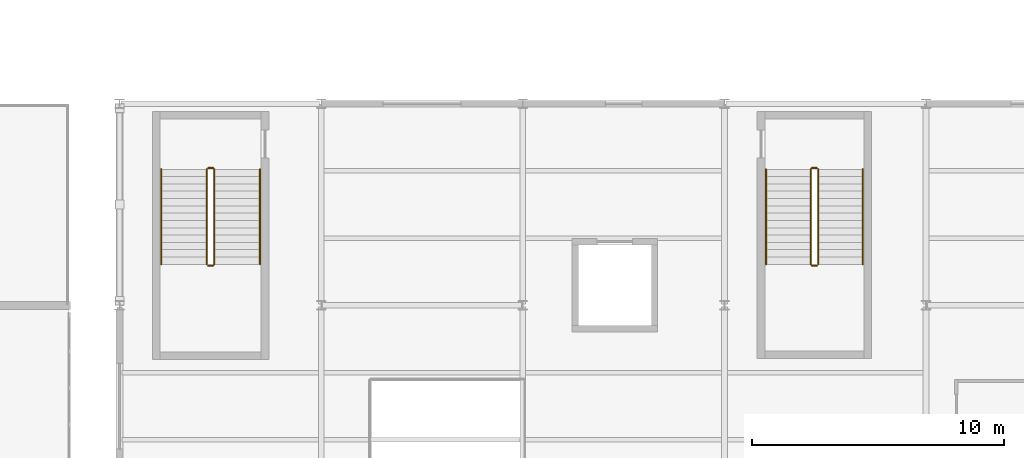
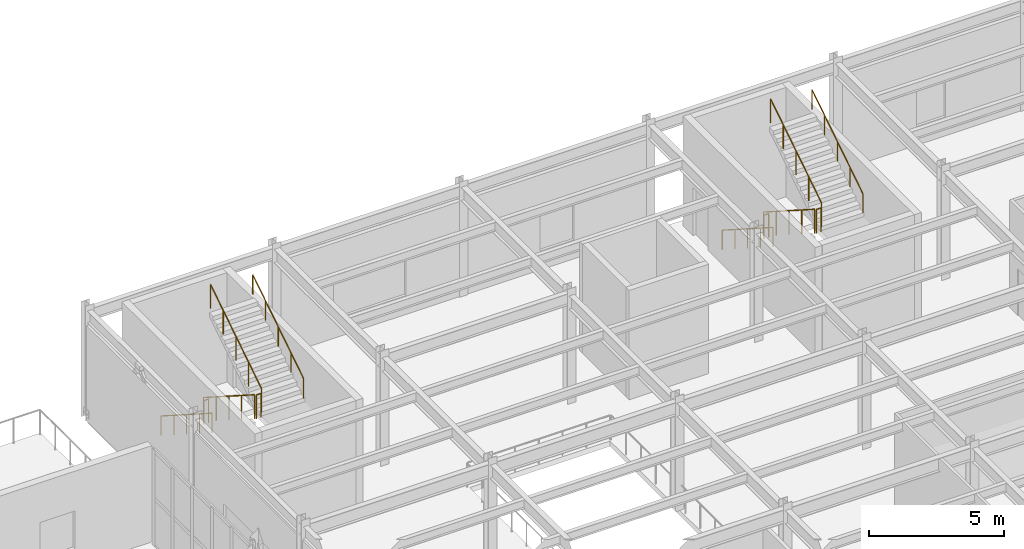
# One storey, part 76 of 77: 12 railings.
"""IFC4 building model written with IfcOpenShell, lengths in metres."""

import ifcopenshell
import ifcopenshell.guid

model = None  # the IFC model being written
_history = None  # IfcOwnerHistory: only IFC2X3 demands one
_inside = {}  # id of a spatial element -> (the spatial element, [elements in it])
_under = {}  # id of a project, library or spatial element -> (it, [spatial elements below it])
_declared = {}  # id of a project -> (the project, [libraries it declares])
_typed = {}  # id of a type object -> (the type object, [elements of that type])
_made_of = {}  # id of a material, layer set ... -> (it, [elements and type objects made of it])


def new_model(schema):
    """Start an empty IFC model of exactly this schema.

    Asked for "IFC4X3", IfcOpenShell would pick the latest addendum, in which some entities
    have other attributes; the version numbers below select the first issue.
    IFC2X3 requires an IfcOwnerHistory on every rooted entity: one is made here for all.
    """
    global model, _history
    if schema == "IFC4X3":
        model = ifcopenshell.file(schema_version=(4, 3, 0, 0))
    else:
        model = ifcopenshell.file(schema=schema)
    _inside.clear()
    _under.clear()
    _declared.clear()
    _typed.clear()
    _made_of.clear()
    _history = None
    if model.schema == "IFC2X3":
        org = make("IfcOrganization", Name="unknown")
        user = make(
            "IfcPersonAndOrganization",
            ThePerson=make("IfcPerson", FamilyName="unknown"),
            TheOrganization=org,
        )
        app = make(
            "IfcApplication",
            ApplicationDeveloper=org,
            Version="unknown",
            ApplicationFullName="unknown",
            ApplicationIdentifier="unknown",
        )
        _history = make(
            "IfcOwnerHistory",
            OwningUser=user,
            OwningApplication=app,
            ChangeAction="ADDED",
            CreationDate=0,
        )
    return model


def make(cls, **values):
    """One entity of the class cls with the attributes given. An attribute that is None is left unset."""
    return model.create_entity(
        cls, **{name: value for name, value in values.items() if value is not None}
    )


def rooted(cls, **values):
    """An entity with a GlobalId (a new one), such as an element, a storey or a relation."""
    return make(cls, GlobalId=ifcopenshell.guid.new(), OwnerHistory=_history, **values)


def si_unit(unit_type, name, prefix=None):
    """IfcSIUnit, for example si_unit("LENGTHUNIT", "METRE", prefix="MILLI")."""
    return make("IfcSIUnit", UnitType=unit_type, Prefix=prefix, Name=name)


def assignment(units):
    """IfcUnitAssignment: the units of a project."""
    return None if units is None else make("IfcUnitAssignment", Units=units)


def point(xyz):
    """IfcCartesianPoint."""
    return None if xyz is None else make("IfcCartesianPoint", Coordinates=xyz)


def direction(xyz):
    """IfcDirection."""
    return None if xyz is None else make("IfcDirection", DirectionRatios=xyz)


def frame(location, z_axis=None, x_axis=None):
    """IfcAxis2Placement3D, a coordinate frame: its origin and axes. An axis left out is left unset."""
    return make(
        "IfcAxis2Placement3D",
        Location=point(location),
        Axis=direction(z_axis),
        RefDirection=direction(x_axis),
    )


def frame_2d(location, x_axis=None):
    """IfcAxis2Placement2D, a coordinate frame in the plane: its origin and x axis."""
    return make(
        "IfcAxis2Placement2D", Location=point(location), RefDirection=direction(x_axis)
    )


def origin():
    """The frame at (0, 0, 0) with its axes left unset."""
    return frame((0.0, 0.0, 0.0))


def origin_2d():
    """The frame at (0, 0) in the plane with its x axis left unset."""
    return frame_2d((0.0, 0.0))


def place(relative_to, where):
    """IfcLocalPlacement: puts the frame where relative to a parent placement (None: the world)."""
    return make(
        "IfcLocalPlacement", PlacementRelTo=relative_to, RelativePlacement=where
    )


def context(
    kind, dimensions, precision=None, world=None, true_north=None, identifier=None
):
    """IfcGeometricRepresentationContext, for example the 3D "Model" context."""
    return make(
        "IfcGeometricRepresentationContext",
        ContextIdentifier=identifier,
        ContextType=kind,
        CoordinateSpaceDimension=dimensions,
        Precision=precision,
        WorldCoordinateSystem=world,
        TrueNorth=true_north,
    )


def subcontext(parent, identifier, kind, view, scale=None):
    """IfcGeometricRepresentationSubContext, for example "Body" below "Model"."""
    return make(
        "IfcGeometricRepresentationSubContext",
        ContextIdentifier=identifier,
        ContextType=kind,
        ParentContext=parent,
        TargetScale=scale,
        TargetView=view,
    )


def project(units=None, contexts=None):
    """IfcProject with its units and contexts."""
    return rooted(
        "IfcProject",
        Name="project",
        RepresentationContexts=contexts,
        UnitsInContext=assignment(units),
    )


def spatial(cls, under=None, at=None, **own):
    """A site, building, storey or space (cls), placed at a placement, below another one or the project."""
    s = rooted(cls, ObjectPlacement=at, **own)
    if under is not None:
        _under.setdefault(under.id(), (under, []))[1].append(s)
    return s


def profile(cls, at=None, kind="AREA", **sizes):
    """A parametric profile (cls). Its sizes go by their IFC names, for example OverallWidth=200.0."""
    return make(cls, ProfileType=kind, Position=at, **sizes)


def circle(**sizes):
    """IfcCircleProfileDef."""
    return profile("IfcCircleProfileDef", **sizes)


def extrude(swept, where, along, depth):
    """IfcExtrudedAreaSolid: the profile swept, set in the frame where, extruded along a direction by depth."""
    return make(
        "IfcExtrudedAreaSolid",
        SweptArea=swept,
        Position=where,
        ExtrudedDirection=direction(along),
        Depth=depth,
    )


def shape(context_of_items, identifier, shape_type, items):
    """IfcShapeRepresentation: the items that make up one representation, for example the "Body"."""
    return make(
        "IfcShapeRepresentation",
        ContextOfItems=context_of_items,
        RepresentationIdentifier=identifier,
        RepresentationType=shape_type,
        Items=items,
    )


def material(Name=None, Category=None):
    """IfcMaterial."""
    return make("IfcMaterial", Name=Name, Category=Category)


def made_of(thing, what):
    """Note that an element or type object is made of a material, layer set ...; save() writes the relation."""
    if what is not None:
        _made_of.setdefault(what.id(), (what, []))[1].append(thing)
    return thing


def type_object(cls, material=None, **own):
    """A type object (cls), such as IfcWallType, which elements share."""
    return made_of(rooted(cls, **own), material)


def element(
    cls,
    number,
    at=None,
    inside=None,
    cuts=None,
    type_object=None,
    material=None,
    context=None,
    identifier="Body",
    shape_type=None,
    held_by="IfcProductDefinitionShape",
    body=None,
    shapes=None,
    **own,
):
    """One element of the class cls, such as IfcWall. Its Tag is "e" and its number.

    at: its placement. inside: the storey or other place that contains it. cuts: it is an
    opening in that element (IfcRelVoidsElement). A single representation is given by context,
    identifier, shape_type and body (its items); several are given by shapes. held_by: the class
    of the entity that holds the representations. save() writes the other relations.
    """
    e = rooted(cls, Tag="e%d" % number, ObjectPlacement=at, **own)
    if body is not None:
        shapes = [shape(context, identifier, shape_type, body)]
    if shapes is not None:
        e.Representation = make(held_by, Representations=shapes)
    if inside is not None:
        _inside.setdefault(inside.id(), (inside, []))[1].append(e)
    if cuts is not None:
        rooted(
            "IfcRelVoidsElement", RelatingBuildingElement=cuts, RelatedOpeningElement=e
        )
    if type_object is not None:
        _typed.setdefault(type_object.id(), (type_object, []))[1].append(e)
    return made_of(e, material)


def aggregate(whole, parts):
    """IfcRelAggregates: a whole, such as a stair, and the parts it consists of."""
    return rooted("IfcRelAggregates", RelatingObject=whole, RelatedObjects=parts)


def save(model, path):
    """Write the relations noted so far, then the file.

    IfcRelAggregates (storeys below a building ...), IfcRelContainedInSpatialStructure (elements
    in a storey), IfcRelDefinesByType, IfcRelAssociatesMaterial and IfcRelDeclares: one each for
    every whole, place, type object, material and project.
    """
    for whole, parts in _under.values():
        aggregate(whole, parts)
    for where, things in _inside.values():
        rooted(
            "IfcRelContainedInSpatialStructure",
            RelatedElements=things,
            RelatingStructure=where,
        )
    for kind, things in _typed.values():
        rooted("IfcRelDefinesByType", RelatedObjects=things, RelatingType=kind)
    for what, things in _made_of.values():
        rooted("IfcRelAssociatesMaterial", RelatedObjects=things, RelatingMaterial=what)
    for by, libraries in _declared.values():
        rooted("IfcRelDeclares", RelatingContext=by, RelatedDefinitions=libraries)
    model.write(path)


model = new_model("IFC4")

# Units and contexts
model_context = context("Model", 3, precision=1e-05, world=origin(), true_north=direction((0.0, 1.0)))
body_context = subcontext(model_context, "Body", "Model", "MODEL_VIEW")
ifc_project = project(units=[si_unit("LENGTHUNIT", "METRE"), si_unit("AREAUNIT", "SQUARE_METRE"), si_unit("VOLUMEUNIT", "CUBIC_METRE"), si_unit("PLANEANGLEUNIT", "RADIAN"), si_unit("MASSUNIT", "GRAM", prefix="KILO")], contexts=[model_context])

# Site, building, storey
site_placement = place(None, origin())
site = spatial("IfcSite", under=ifc_project, at=site_placement, CompositionType="ELEMENT")
building_placement = place(site_placement, origin())
building = spatial("IfcBuilding", under=site, at=building_placement, Name="Drelvath Fold Interchange", CompositionType="ELEMENT")
storey_placement = place(building_placement, frame((0.0, 0.0, 6.0)))
storey = spatial("IfcBuildingStorey", under=building, at=storey_placement, Name="L01", CompositionType="ELEMENT", Elevation=6.0)

# Railings
ifc_material = material(Name="Stainless Steel 316L", Category="steel")
railing_type_1 = type_object("IfcRailingType", Name="RL-GRD1100", PredefinedType="GUARDRAIL", material=ifc_material)
railing_1_placement = place(storey_placement, frame((105.4599609375, 104.39990234375, 0.185791015625)))
element("IfcRailing", 1, at=railing_1_placement, inside=storey, type_object=railing_type_1, Name="L01 ST-07 stair guard 1", PredefinedType="GUARDRAIL", context=body_context, shape_type="SweptSolid", body=[
    extrude(circle(Radius=0.02392578125, at=origin_2d()), frame((0.0, 0.0, 1.076171875), z_axis=(0.0, -0.84211983486, 0.539290444692), x_axis=(1.0, 0.0, 0.0)), (0.0, 0.0, 1.0), 4.476806640625),
    extrude(circle(Radius=0.02099609375, at=origin_2d()), origin(), (0.0, 0.0, 1.0), 1.052001953125),
    extrude(circle(Radius=0.02099609375, at=origin_2d()), frame((0.0, -0.9423828125, 0.603515625)), (0.0, 0.0, 1.0), 1.052001953125),
    extrude(circle(Radius=0.02099609375, at=origin_2d()), frame((0.0, -1.885009765625, 1.20703125)), (0.0, 0.0, 1.0), 1.052001953125),
    extrude(circle(Radius=0.02099609375, at=origin_2d()), frame((0.0, -2.82763671875, 1.810791015625)), (0.0, 0.0, 1.0), 1.052001953125),
    extrude(circle(Radius=0.02099609375, at=origin_2d()), frame((0.0, -3.77001953125, 2.414306640625)), (0.0, 0.0, 1.0), 1.052001953125),
])
railing_2_placement = place(storey_placement, frame((105.510009765625, 100.580078125, 2.60009765625)))
element("IfcRailing", 2, at=railing_2_placement, inside=storey, type_object=railing_type_1, Name="L01 ST-07 stair guard 2", PredefinedType="GUARDRAIL", context=body_context, shape_type="SweptSolid", body=[
    extrude(circle(Radius=0.02392578125, at=origin_2d()), frame((0.0, 0.0, 1.076171875), z_axis=(1.0, 0.0, 0.0), x_axis=(0.0, 1.0, 0.0)), (0.0, 0.0, 1.0), 0.199951171875),
    extrude(circle(Radius=0.02099609375, at=origin_2d()), origin(), (0.0, 0.0, 1.0), 1.052001953125),
    extrude(circle(Radius=0.02099609375, at=origin_2d()), frame((0.199951171875, 0.0, 0.0)), (0.0, 0.0, 1.0), 1.052001953125),
])
railing_3_placement = place(storey_placement, frame((105.760009765625, 100.6298828125, 2.78564453125)))
element("IfcRailing", 3, at=railing_3_placement, inside=storey, type_object=railing_type_1, Name="L01 ST-07 stair guard 3", PredefinedType="GUARDRAIL", context=body_context, shape_type="SweptSolid", body=[
    extrude(circle(Radius=0.02392578125, at=origin_2d()), frame((0.0, 0.0, 1.076171875), z_axis=(0.0, 0.84211983486, 0.539290444692), x_axis=(-1.0, 0.0, 0.0)), (0.0, 0.0, 1.0), 4.476806640625),
    extrude(circle(Radius=0.02099609375, at=origin_2d()), origin(), (0.0, 0.0, 1.0), 1.052001953125),
    extrude(circle(Radius=0.02099609375, at=origin_2d()), frame((0.0, 0.9423828125, 0.603515625)), (0.0, 0.0, 1.0), 1.052001953125),
    extrude(circle(Radius=0.02099609375, at=origin_2d()), frame((0.0, 1.885009765625, 1.20703125)), (0.0, 0.0, 1.0), 1.052001953125),
    extrude(circle(Radius=0.02099609375, at=origin_2d()), frame((0.0, 2.82763671875, 1.810791015625)), (0.0, 0.0, 1.0), 1.052001953125),
    extrude(circle(Radius=0.02099609375, at=origin_2d()), frame((0.0, 3.77001953125, 2.414306640625)), (0.0, 0.0, 1.0), 1.052001953125),
])
railing_4_placement = place(storey_placement, frame((105.510009765625, 104.449951171875, 0.0)))
element("IfcRailing", 4, at=railing_4_placement, inside=storey, type_object=railing_type_1, Name="L01 ST-07 stair guard 4", PredefinedType="GUARDRAIL", context=body_context, shape_type="SweptSolid", body=[
    extrude(circle(Radius=0.02392578125, at=origin_2d()), frame((0.0, 0.0, 1.076171875), z_axis=(1.0, 0.0, 0.0), x_axis=(0.0, 1.0, 0.0)), (0.0, 0.0, 1.0), 0.199951171875),
    extrude(circle(Radius=0.02099609375, at=origin_2d()), origin(), (0.0, 0.0, 1.0), 1.052001953125),
    extrude(circle(Radius=0.02099609375, at=origin_2d()), frame((0.199951171875, 0.0, 0.0)), (0.0, 0.0, 1.0), 1.052001953125),
])
railing_5_placement = place(storey_placement, frame((129.419921875, 104.39990234375, 0.185791015625)))
element("IfcRailing", 5, at=railing_5_placement, inside=storey, type_object=railing_type_1, Name="L01 ST-08 stair guard 1", PredefinedType="GUARDRAIL", context=body_context, shape_type="SweptSolid", body=[
    extrude(circle(Radius=0.02392578125, at=origin_2d()), frame((0.0, 0.0, 1.076171875), z_axis=(0.0, -0.84211983486, 0.539290444692), x_axis=(1.0, 0.0, 0.0)), (0.0, 0.0, 1.0), 4.476806640625),
    extrude(circle(Radius=0.02099609375, at=origin_2d()), origin(), (0.0, 0.0, 1.0), 1.052001953125),
    extrude(circle(Radius=0.02099609375, at=origin_2d()), frame((0.0, -0.9423828125, 0.603515625)), (0.0, 0.0, 1.0), 1.052001953125),
    extrude(circle(Radius=0.02099609375, at=origin_2d()), frame((0.0, -1.885009765625, 1.20703125)), (0.0, 0.0, 1.0), 1.052001953125),
    extrude(circle(Radius=0.02099609375, at=origin_2d()), frame((0.0, -2.82763671875, 1.810791015625)), (0.0, 0.0, 1.0), 1.052001953125),
    extrude(circle(Radius=0.02099609375, at=origin_2d()), frame((0.0, -3.77001953125, 2.414306640625)), (0.0, 0.0, 1.0), 1.052001953125),
])
railing_6_placement = place(storey_placement, frame((129.469970703125, 100.580078125, 2.60009765625)))
element("IfcRailing", 6, at=railing_6_placement, inside=storey, type_object=railing_type_1, Name="L01 ST-08 stair guard 2", PredefinedType="GUARDRAIL", context=body_context, shape_type="SweptSolid", body=[
    extrude(circle(Radius=0.02392578125, at=origin_2d()), frame((0.0, 0.0, 1.076171875), z_axis=(1.0, 0.0, 0.0), x_axis=(0.0, 1.0, 0.0)), (0.0, 0.0, 1.0), 0.199951171875),
    extrude(circle(Radius=0.02099609375, at=origin_2d()), origin(), (0.0, 0.0, 1.0), 1.052001953125),
    extrude(circle(Radius=0.02099609375, at=origin_2d()), frame((0.199951171875, 0.0, 0.0)), (0.0, 0.0, 1.0), 1.052001953125),
])
railing_7_placement = place(storey_placement, frame((129.719970703125, 100.6298828125, 2.78564453125)))
element("IfcRailing", 7, at=railing_7_placement, inside=storey, type_object=railing_type_1, Name="L01 ST-08 stair guard 3", PredefinedType="GUARDRAIL", context=body_context, shape_type="SweptSolid", body=[
    extrude(circle(Radius=0.02392578125, at=origin_2d()), frame((0.0, 0.0, 1.076171875), z_axis=(0.0, 0.84211983486, 0.539290444692), x_axis=(-1.0, 0.0, 0.0)), (0.0, 0.0, 1.0), 4.476806640625),
    extrude(circle(Radius=0.02099609375, at=origin_2d()), origin(), (0.0, 0.0, 1.0), 1.052001953125),
    extrude(circle(Radius=0.02099609375, at=origin_2d()), frame((0.0, 0.9423828125, 0.603515625)), (0.0, 0.0, 1.0), 1.052001953125),
    extrude(circle(Radius=0.02099609375, at=origin_2d()), frame((0.0, 1.885009765625, 1.20703125)), (0.0, 0.0, 1.0), 1.052001953125),
    extrude(circle(Radius=0.02099609375, at=origin_2d()), frame((0.0, 2.82763671875, 1.810791015625)), (0.0, 0.0, 1.0), 1.052001953125),
    extrude(circle(Radius=0.02099609375, at=origin_2d()), frame((0.0, 3.77001953125, 2.414306640625)), (0.0, 0.0, 1.0), 1.052001953125),
])
railing_8_placement = place(storey_placement, frame((129.469970703125, 104.449951171875, 0.0)))
element("IfcRailing", 8, at=railing_8_placement, inside=storey, type_object=railing_type_1, Name="L01 ST-08 stair guard 4", PredefinedType="GUARDRAIL", context=body_context, shape_type="SweptSolid", body=[
    extrude(circle(Radius=0.02392578125, at=origin_2d()), frame((0.0, 0.0, 1.076171875), z_axis=(1.0, 0.0, 0.0), x_axis=(0.0, 1.0, 0.0)), (0.0, 0.0, 1.0), 0.199951171875),
    extrude(circle(Radius=0.02099609375, at=origin_2d()), origin(), (0.0, 0.0, 1.0), 1.052001953125),
    extrude(circle(Radius=0.02099609375, at=origin_2d()), frame((0.199951171875, 0.0, 0.0)), (0.0, 0.0, 1.0), 1.052001953125),
])
railing_type_2 = type_object("IfcRailingType", Name="RL-HND920", PredefinedType="HANDRAIL", material=ifc_material)
railing_9_placement = place(storey_placement, frame((103.64990234375, 104.39990234375, 0.185791015625)))
element("IfcRailing", 9, at=railing_9_placement, inside=storey, type_object=railing_type_2, Name="L01 ST-07 stair handrail 1", PredefinedType="HANDRAIL", context=body_context, shape_type="SweptSolid", body=[
    extrude(circle(Radius=0.02392578125, at=origin_2d()), frame((0.0, 0.0, 0.8759765625), z_axis=(0.0, -0.84211983486, 0.539290444692), x_axis=(1.0, 0.0, 0.0)), (0.0, 0.0, 1.0), 4.476806640625),
    extrude(circle(Radius=0.02099609375, at=origin_2d()), origin(), (0.0, 0.0, 1.0), 0.851806640625),
    extrude(circle(Radius=0.02099609375, at=origin_2d()), frame((0.0, -0.9423828125, 0.603515625)), (0.0, 0.0, 1.0), 0.851806640625),
    extrude(circle(Radius=0.02099609375, at=origin_2d()), frame((0.0, -1.885009765625, 1.20703125)), (0.0, 0.0, 1.0), 0.851806640625),
    extrude(circle(Radius=0.02099609375, at=origin_2d()), frame((0.0, -2.82763671875, 1.810791015625)), (0.0, 0.0, 1.0), 0.851806640625),
    extrude(circle(Radius=0.02099609375, at=origin_2d()), frame((0.0, -3.77001953125, 2.414306640625)), (0.0, 0.0, 1.0), 0.851806640625),
])
railing_10_placement = place(storey_placement, frame((107.570068359375, 100.6298828125, 2.78564453125)))
element("IfcRailing", 10, at=railing_10_placement, inside=storey, type_object=railing_type_2, Name="L01 ST-07 stair handrail 2", PredefinedType="HANDRAIL", context=body_context, shape_type="SweptSolid", body=[
    extrude(circle(Radius=0.02392578125, at=origin_2d()), frame((0.0, 0.0, 0.8759765625), z_axis=(0.0, 0.84211983486, 0.539290444692), x_axis=(-1.0, 0.0, 0.0)), (0.0, 0.0, 1.0), 4.476806640625),
    extrude(circle(Radius=0.02099609375, at=origin_2d()), origin(), (0.0, 0.0, 1.0), 0.851806640625),
    extrude(circle(Radius=0.02099609375, at=origin_2d()), frame((0.0, 0.9423828125, 0.603515625)), (0.0, 0.0, 1.0), 0.851806640625),
    extrude(circle(Radius=0.02099609375, at=origin_2d()), frame((0.0, 1.885009765625, 1.20703125)), (0.0, 0.0, 1.0), 0.851806640625),
    extrude(circle(Radius=0.02099609375, at=origin_2d()), frame((0.0, 2.82763671875, 1.810791015625)), (0.0, 0.0, 1.0), 0.851806640625),
    extrude(circle(Radius=0.02099609375, at=origin_2d()), frame((0.0, 3.77001953125, 2.414306640625)), (0.0, 0.0, 1.0), 0.851806640625),
])
railing_11_placement = place(storey_placement, frame((127.64990234375, 104.39990234375, 0.185791015625)))
element("IfcRailing", 11, at=railing_11_placement, inside=storey, type_object=railing_type_2, Name="L01 ST-08 stair handrail 1", PredefinedType="HANDRAIL", context=body_context, shape_type="SweptSolid", body=[
    extrude(circle(Radius=0.02392578125, at=origin_2d()), frame((0.0, 0.0, 0.8759765625), z_axis=(0.0, -0.84211983486, 0.539290444692), x_axis=(1.0, 0.0, 0.0)), (0.0, 0.0, 1.0), 4.476806640625),
    extrude(circle(Radius=0.02099609375, at=origin_2d()), origin(), (0.0, 0.0, 1.0), 0.851806640625),
    extrude(circle(Radius=0.02099609375, at=origin_2d()), frame((0.0, -0.9423828125, 0.603515625)), (0.0, 0.0, 1.0), 0.851806640625),
    extrude(circle(Radius=0.02099609375, at=origin_2d()), frame((0.0, -1.885009765625, 1.20703125)), (0.0, 0.0, 1.0), 0.851806640625),
    extrude(circle(Radius=0.02099609375, at=origin_2d()), frame((0.0, -2.82763671875, 1.810791015625)), (0.0, 0.0, 1.0), 0.851806640625),
    extrude(circle(Radius=0.02099609375, at=origin_2d()), frame((0.0, -3.77001953125, 2.414306640625)), (0.0, 0.0, 1.0), 0.851806640625),
])
railing_12_placement = place(storey_placement, frame((131.489990234375, 100.6298828125, 2.78564453125)))
element("IfcRailing", 12, at=railing_12_placement, inside=storey, type_object=railing_type_2, Name="L01 ST-08 stair handrail 2", PredefinedType="HANDRAIL", context=body_context, shape_type="SweptSolid", body=[
    extrude(circle(Radius=0.02392578125, at=origin_2d()), frame((0.0, 0.0, 0.8759765625), z_axis=(0.0, 0.84211983486, 0.539290444692), x_axis=(-1.0, 0.0, 0.0)), (0.0, 0.0, 1.0), 4.476806640625),
    extrude(circle(Radius=0.02099609375, at=origin_2d()), origin(), (0.0, 0.0, 1.0), 0.851806640625),
    extrude(circle(Radius=0.02099609375, at=origin_2d()), frame((0.0, 0.9423828125, 0.603515625)), (0.0, 0.0, 1.0), 0.851806640625),
    extrude(circle(Radius=0.02099609375, at=origin_2d()), frame((0.0, 1.885009765625, 1.20703125)), (0.0, 0.0, 1.0), 0.851806640625),
    extrude(circle(Radius=0.02099609375, at=origin_2d()), frame((0.0, 2.82763671875, 1.810791015625)), (0.0, 0.0, 1.0), 0.851806640625),
    extrude(circle(Radius=0.02099609375, at=origin_2d()), frame((0.0, 3.77001953125, 2.414306640625)), (0.0, 0.0, 1.0), 0.851806640625),
])

save(model, "model.ifc")
